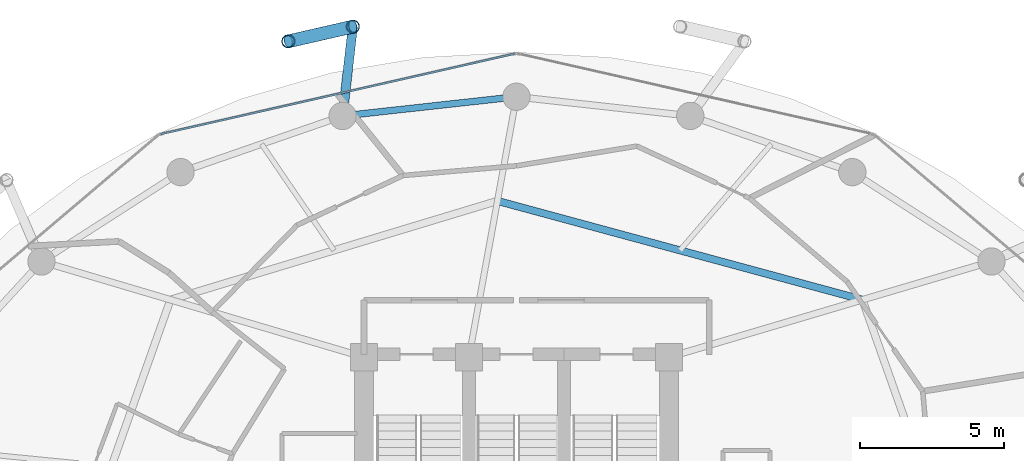
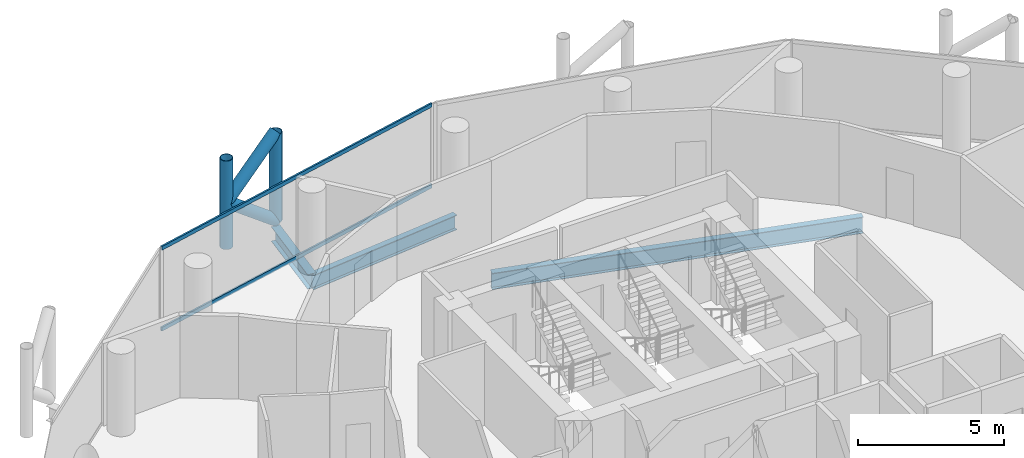
# One storey, part 16 of 26: 6 members, 3 beams, 1 element without a shape of its own.
"""IFC4 building model written with IfcOpenShell, lengths in metres."""

from ifc_helpers import new_model, si_unit, direction, frame, origin, origin_2d, place, context, subcontext, project, spatial, hollow_rectangle, hollow_circle, i_section, extrude, material, layer, layer_set, material_profile, profile_set, type_object, element, aggregate, save


model = new_model("IFC4")

# Units and contexts
model_context = context("Model", 3, precision=1e-05, world=origin(), true_north=direction((0.0, 1.0)))
body_context = subcontext(model_context, "Body", "Model", "MODEL_VIEW")
ifc_project = project(units=[si_unit("LENGTHUNIT", "METRE"), si_unit("AREAUNIT", "SQUARE_METRE"), si_unit("VOLUMEUNIT", "CUBIC_METRE"), si_unit("PLANEANGLEUNIT", "RADIAN"), si_unit("MASSUNIT", "GRAM", prefix="KILO")], contexts=[model_context])

# Site, building, storey
site_placement = place(None, origin())
site = spatial("IfcSite", under=ifc_project, at=site_placement, CompositionType="ELEMENT")
building_placement = place(site_placement, origin())
building = spatial("IfcBuilding", under=site, at=building_placement, Name="Nuhasar Tower", CompositionType="ELEMENT")
storey_placement = place(building_placement, frame((0.0, 0.0, 188.550048828125)))
storey = spatial("IfcBuildingStorey", under=building, at=storey_placement, Name="L46", CompositionType="ELEMENT", Elevation=188.550048828125)

# Beams
ifc_material_1 = material(Name="Steel S355", Category="steel")
ifc_material_profile_1 = material_profile(ifc_material_1, i_section(OverallWidth=0.25390625, OverallDepth=0.68408203125, WebThickness=0.012451171875, FlangeThickness=0.018798828125, at=origin_2d()), Name="W27X94")
ifc_profile_set_1 = profile_set([ifc_material_profile_1], Name="Steel S355")
beam_type_1 = type_object("IfcBeamType", Name="BM-INRING-W27X94", PredefinedType="BEAM", material=ifc_profile_set_1)
beam_1_placement = place(storey_placement, frame((51.027099609375, 39.2939453125, -0.592041015625), z_axis=(-0.96522695776, 0.261413312618, 0.0), x_axis=(-0.261413312618, -0.96522695776, 0.0)))
element("IfcBeam", 1, at=beam_1_placement, inside=storey, type_object=beam_type_1, Name="L46 Inner Header Beam 05", PredefinedType="BEAM", context=body_context, shape_type="SweptSolid", body=[
    extrude(i_section(OverallWidth=0.25390625, OverallDepth=0.68408203125, WebThickness=0.012451171875, FlangeThickness=0.018798828125, at=origin_2d()), origin(), (0.0, 0.0, 1.0), 13.14404296875),
])
ifc_material_profile_2 = material_profile(ifc_material_1, i_section(OverallWidth=0.22998046875, OverallDepth=0.616943359375, WebThickness=0.01318359375, FlangeThickness=0.022216796875, at=origin_2d()), Name="W24X94")
ifc_profile_set_2 = profile_set([ifc_material_profile_2], Name="Steel S355")
beam_type_2 = type_object("IfcBeamType", Name="BM-RING-W24X94", PredefinedType="SPANDREL", material=ifc_profile_set_2)
beam_2_placement = place(storey_placement, frame((39.0, 46.35009765625, -0.55810546875), z_axis=(-0.993981289157, -0.109549974015, 0.0), x_axis=(0.109549974015, -0.993981289157, 0.0)))
element("IfcBeam", 2, at=beam_2_placement, inside=storey, type_object=beam_type_2, Name="L46 Perimeter Ring Spandrel 07", PredefinedType="SPANDREL", context=body_context, shape_type="SweptSolid", body=[
    extrude(i_section(OverallWidth=0.22998046875, OverallDepth=0.616943359375, WebThickness=0.01318359375, FlangeThickness=0.022216796875, at=origin_2d()), origin(), (0.0, 0.0, 1.0), 6.07958984375),
])
ifc_material_profile_3 = material_profile(ifc_material_1, i_section(OverallWidth=0.323974609375, OverallDepth=0.611083984375, WebThickness=0.0126953125, FlangeThickness=0.01904296875, at=origin_2d()), Name="W24X104")
ifc_profile_set_3 = profile_set([ifc_material_profile_3], Name="Steel S355")
beam_type_3 = type_object("IfcBeamType", Name="BM-TIE-W24X104", PredefinedType="BEAM", material=ifc_profile_set_3)
beam_3_placement = place(storey_placement, frame((32.95703125, 45.68408203125, -0.554931640625), z_axis=(0.114167639647, 0.993461499031, 0.0), x_axis=(-0.993461499031, 0.114167639647, 0.0)))
element("IfcBeam", 3, at=beam_3_placement, inside=storey, type_object=beam_type_3, Name="L46 Exoskeleton Node Tie Beam 04", PredefinedType="BEAM", context=body_context, shape_type="SweptSolid", body=[
    extrude(i_section(OverallWidth=0.323974609375, OverallDepth=0.611083984375, WebThickness=0.0126953125, FlangeThickness=0.01904296875, at=origin_2d()), origin(), (0.0, 0.0, 1.0), 3.12646484375),
])

# Curtain wall, members
ifc_material_2 = material(Name="Aluminium 6063-T6", Category="aluminium")
ifc_layer = layer(ifc_material_2, 0.199951171875)
ifc_layer_set = layer_set([ifc_layer], Name="Aluminium 6063-T6")
curtain_wall_type = type_object("IfcCurtainWallType", Name="CW-Z2-HTL", PredefinedType="NOTDEFINED", material=ifc_layer_set)
curtain_wall_placement = place(storey_placement, origin())
curtain_wall = element("IfcCurtainWall", 4, at=curtain_wall_placement, inside=storey, type_object=curtain_wall_type, Name="L46 Unitised Curtain Wall 04", PredefinedType="NOTDEFINED")
ifc_material_profile_4 = material_profile(ifc_material_2, hollow_rectangle(XDim=0.070068359375, YDim=0.159912109375, WallThickness=0.00439453125, at=origin_2d()), Name="CWT-3")
ifc_profile_set_4 = profile_set([ifc_material_profile_4], Name="Aluminium 6063-T6")
member_type_1 = type_object("IfcMemberType", Name="CW-TRN-S3", PredefinedType="USERDEFINED", material=ifc_profile_set_4)
member_1_placement = place(storey_placement, frame((38.931640625, 47.844482421875, 0.034912109375), z_axis=(-0.975183434528, -0.221398439519, 0.0), x_axis=(0.221398439519, -0.975183434528, 0.0)))
member_1 = element("IfcMember", 5, at=member_1_placement, type_object=member_type_1, Name="CW-Z2 transom 1.1", ObjectType="TRANSOM", PredefinedType="USERDEFINED", context=body_context, shape_type="SweptSolid", body=[
    extrude(hollow_rectangle(XDim=0.070068359375, YDim=0.159912109375, WallThickness=0.00439453125, at=origin_2d()), origin(), (0.0, 0.0, 1.0), 12.606201171875),
])
member_2_placement = place(storey_placement, frame((38.931640625, 47.844482421875, 3.4150390625), z_axis=(-0.975183434528, -0.221398439519, 0.0), x_axis=(0.221398439519, -0.975183434528, 0.0)))
member_2 = element("IfcMember", 6, at=member_2_placement, type_object=member_type_1, Name="CW-Z2 transom 1.2", ObjectType="TRANSOM", PredefinedType="USERDEFINED", context=body_context, shape_type="SweptSolid", body=[
    extrude(hollow_rectangle(XDim=0.070068359375, YDim=0.159912109375, WallThickness=0.00439453125, at=origin_2d()), origin(), (0.0, 0.0, 1.0), 12.606201171875),
])
aggregate(curtain_wall, [member_1, member_2])

# Members
ifc_material_3 = material(Name="Steel S460", Category="steel")
ifc_material_profile_5 = material_profile(ifc_material_3, hollow_circle(Radius=0.228515625, WallThickness=0.022216796875, at=origin_2d()), Name="HSS457X22.2")
ifc_profile_set_5 = profile_set([ifc_material_profile_5], Name="Steel S460")
member_type_2 = type_object("IfcMemberType", Name="EXO-BRONZE-457", PredefinedType="BRACE", material=ifc_profile_set_5)
for number, where, z_axis, x_axis, name in (
    (7, (33.31396484375, 48.7900390625, 0.0), (0.0, 0.0, 1.0), (1.0, 0.0, 0.0), "L46 Exoskeleton Chord Column EC-04A"),
    (8, (31.072021484375, 48.27587890625, 0.0), (0.0, 0.0, 1.0), (1.0, 0.0, 0.0), "L46 Exoskeleton Chord Column EC-04B"),
):
    element("IfcMember", number, at=place(storey_placement, frame(where, z_axis=z_axis, x_axis=x_axis)), inside=storey, type_object=member_type_2, Name=name, PredefinedType="BRACE", context=body_context, shape_type="SweptSolid", body=[
        extrude(hollow_circle(Radius=0.228515625, WallThickness=0.022216796875, at=origin_2d()), origin(), (0.0, 0.0, 1.0), 3.699951171875),
    ])
member_3_placement = place(storey_placement, frame((33.31396484375, 48.7900390625, 0.0), z_axis=(-0.759538919781, -0.174190239035, 0.626704388019), x_axis=(0.223533724104, -0.974696195842, 0.0)))
element("IfcMember", 9, at=member_3_placement, inside=storey, type_object=member_type_2, Name="L46 Bronze Diagrid Brace W1-04", PredefinedType="BRACE", context=body_context, shape_type="SweptSolid", body=[
    extrude(hollow_circle(Radius=0.228515625, WallThickness=0.022216796875, at=origin_2d()), origin(), (0.0, 0.0, 1.0), 2.95166015625),
])
member_4_placement = place(storey_placement, frame((31.072021484375, 48.27587890625, 1.849853515625), z_axis=(0.759499549084, 0.174181209885, 0.626754609927), x_axis=(-0.223533724104, 0.974696195842, 0.0)))
element("IfcMember", 10, at=member_4_placement, inside=storey, type_object=member_type_2, Name="L46 Bronze Diagrid Brace W2-04", PredefinedType="BRACE", context=body_context, shape_type="SweptSolid", body=[
    extrude(hollow_circle(Radius=0.228515625, WallThickness=0.022216796875, at=origin_2d()), origin(), (0.0, 0.0, 1.0), 2.951904296875),
])

save(model, "model.ifc")
